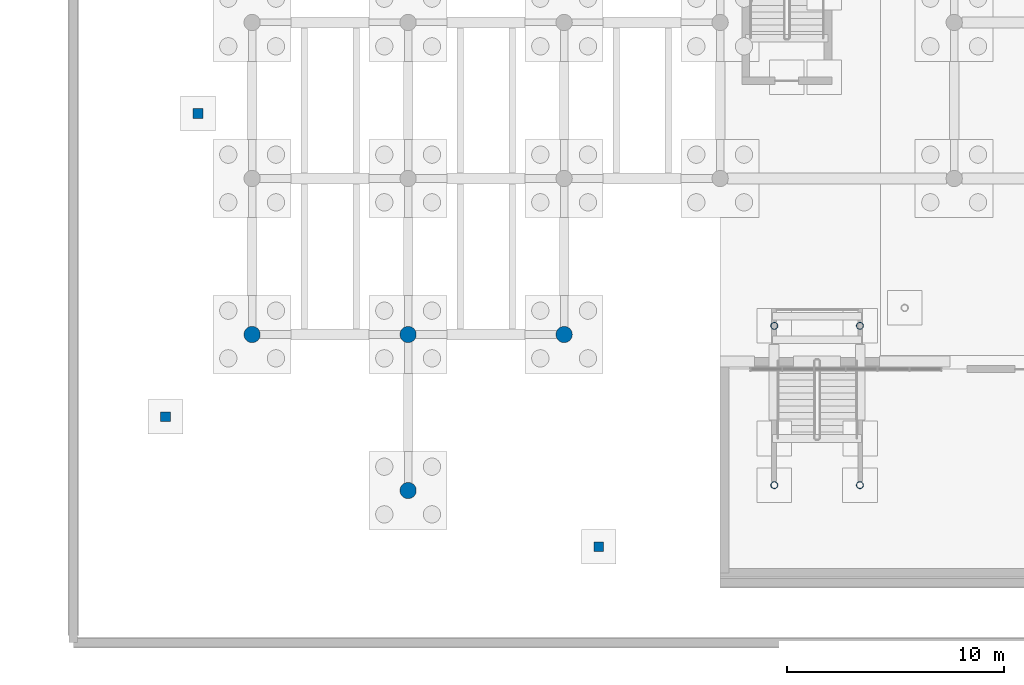
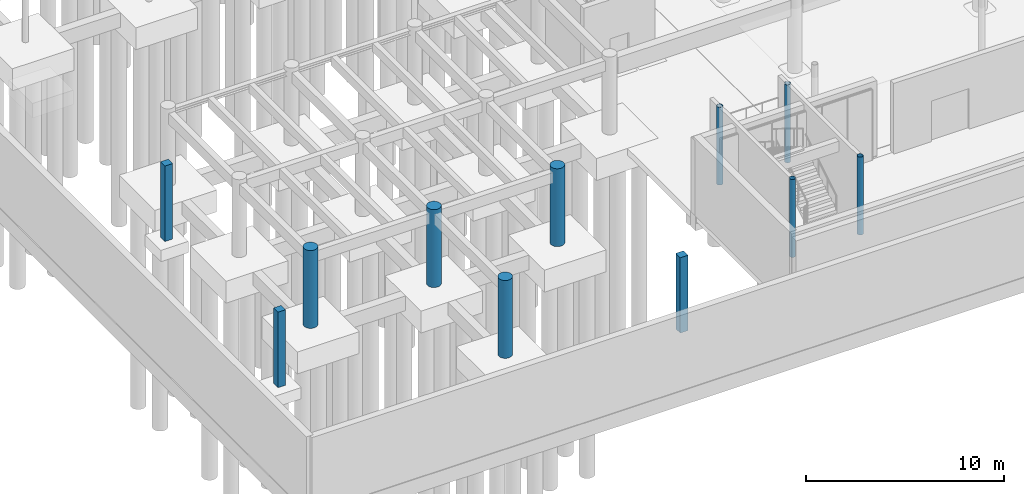
# One storey, part 10 of 46: 11 columns.
"""IFC4 building model written with IfcOpenShell, lengths in metres."""

from ifc_helpers import new_model, si_unit, direction, frame, origin, origin_2d, place, context, subcontext, project, spatial, rectangle, circle, hollow_circle, extrude, material, material_profile, profile_set, type_object, element, save


model = new_model("IFC4")

# Units and contexts
model_context = context("Model", 3, precision=1e-05, world=origin(), true_north=direction((0.0, 1.0)))
body_context = subcontext(model_context, "Body", "Model", "MODEL_VIEW")
ifc_project = project(units=[si_unit("LENGTHUNIT", "METRE"), si_unit("AREAUNIT", "SQUARE_METRE"), si_unit("VOLUMEUNIT", "CUBIC_METRE"), si_unit("PLANEANGLEUNIT", "RADIAN"), si_unit("MASSUNIT", "GRAM", prefix="KILO")], contexts=[model_context])

# Site, building, storey
site_placement = place(None, origin())
site = spatial("IfcSite", under=ifc_project, at=site_placement, CompositionType="ELEMENT")
building_placement = place(site_placement, origin())
building = spatial("IfcBuilding", under=site, at=building_placement, Name="Tazoul Stagehouse", CompositionType="ELEMENT")
storey_placement = place(building_placement, frame((0.0, 0.0, -4.800048828125)))
storey = spatial("IfcBuildingStorey", under=building, at=storey_placement, Name="B1", CompositionType="ELEMENT", Elevation=-4.800048828125)

# Columns
ifc_material_1 = material(Name="Concrete C40/50", Category="concrete")
ifc_material_profile_1 = material_profile(ifc_material_1, circle(Radius=0.375, at=origin_2d()), Name="RC D750")
ifc_profile_set_1 = profile_set([ifc_material_profile_1], Name="Concrete C40/50")
column_type_1 = type_object("IfcColumnType", Name="RC Circular Column D750 (Exterior)", PredefinedType="COLUMN", material=ifc_profile_set_1)
for number, where, z_axis, x_axis, name in (
    (1, (36.0, 15.800048828125, 0.0), (0.0, 0.0, 1.0), (1.0, 0.0, 0.0), "B1 Column C-08E at 5/C"),
    (2, (43.199951171875, 8.60009765625, 0.0), (0.0, 0.0, 1.0), (1.0, 0.0, 0.0), "B1 Column C-08E at 6/B"),
    (3, (43.199951171875, 15.800048828125, 0.0), (0.0, 0.0, 1.0), (1.0, 0.0, 0.0), "B1 Column C-08E at 6/C"),
    (4, (50.39990234375, 15.800048828125, 0.0), (0.0, 0.0, 1.0), (1.0, 0.0, 0.0), "B1 Column C-08E at 7/C"),
):
    element("IfcColumn", number, at=place(storey_placement, frame(where, z_axis=z_axis, x_axis=x_axis)), inside=storey, type_object=column_type_1, Name=name, PredefinedType="COLUMN", context=body_context, shape_type="SweptSolid", body=[
        extrude(circle(Radius=0.375, at=origin_2d()), origin(), (0.0, 0.0, 1.0), 4.800048828125),
    ])
ifc_material_profile_2 = material_profile(ifc_material_1, rectangle(XDim=0.449951171875, YDim=0.449951171875, at=origin_2d()), Name="RC 450x450")
ifc_profile_set_2 = profile_set([ifc_material_profile_2], Name="Concrete C40/50")
column_type_2 = type_object("IfcColumnType", Name="RC Column 450x450", PredefinedType="COLUMN", material=ifc_profile_set_2)
for number, where, z_axis, x_axis, name in (
    (5, (32.0, 12.0, 0.0), (0.0, 0.0, 1.0), (1.0, 0.0, 0.0), "B1 Plaza Plinth Support Column C-01 (1)"),
    (6, (52.0, 6.0, 0.0), (0.0, 0.0, 1.0), (1.0, 0.0, 0.0), "B1 Plaza Plinth Support Column C-01 (2)"),
    (7, (33.5, 26.0, 0.0), (0.0, 0.0, 1.0), (1.0, 0.0, 0.0), "B1 Plaza Plinth Support Column C-01 (3)"),
):
    element("IfcColumn", number, at=place(storey_placement, frame(where, z_axis=z_axis, x_axis=x_axis)), inside=storey, type_object=column_type_2, Name=name, PredefinedType="COLUMN", context=body_context, shape_type="SweptSolid", body=[
        extrude(rectangle(XDim=0.449951171875, YDim=0.449951171875, at=origin_2d()), origin(), (0.0, 0.0, 1.0), 4.650146484375),
    ])
ifc_material_2 = material(Name="Steel S355", Category="steel")
ifc_material_profile_3 = material_profile(ifc_material_2, hollow_circle(Radius=0.161865234375, WallThickness=0.012451171875, at=origin_2d()), Name="CHS 323.9x12.5")
ifc_profile_set_3 = profile_set([ifc_material_profile_3], Name="Steel S355")
column_type_3 = type_object("IfcColumnType", Name="Steel Arcade Column CHS 323.9x12.5", PredefinedType="COLUMN", material=ifc_profile_set_3)
for number, where, z_axis, x_axis, name in (
    (8, (60.10009765625, 8.85009765625, 0.0), (0.0, 0.0, 1.0), (1.0, 0.0, 0.0), "B1 Plaza Stair Pavilion Column SC-07 (AMP-W-1)"),
    (9, (64.050048828125, 8.85009765625, 0.0), (0.0, 0.0, 1.0), (1.0, 0.0, 0.0), "B1 Plaza Stair Pavilion Column SC-07 (AMP-W-2)"),
    (10, (60.10009765625, 16.199951171875, 0.0), (0.0, 0.0, 1.0), (1.0, 0.0, 0.0), "B1 Plaza Stair Pavilion Column SC-07 (AMP-W-3)"),
    (11, (64.050048828125, 16.199951171875, 0.0), (0.0, 0.0, 1.0), (1.0, 0.0, 0.0), "B1 Plaza Stair Pavilion Column SC-07 (AMP-W-4)"),
):
    element("IfcColumn", number, at=place(storey_placement, frame(where, z_axis=z_axis, x_axis=x_axis)), inside=storey, type_object=column_type_3, Name=name, PredefinedType="COLUMN", context=body_context, shape_type="SweptSolid", body=[
        extrude(hollow_circle(Radius=0.161865234375, WallThickness=0.012451171875, at=origin_2d()), origin(), (0.0, 0.0, 1.0), 4.800048828125),
    ])

save(model, "model.ifc")
